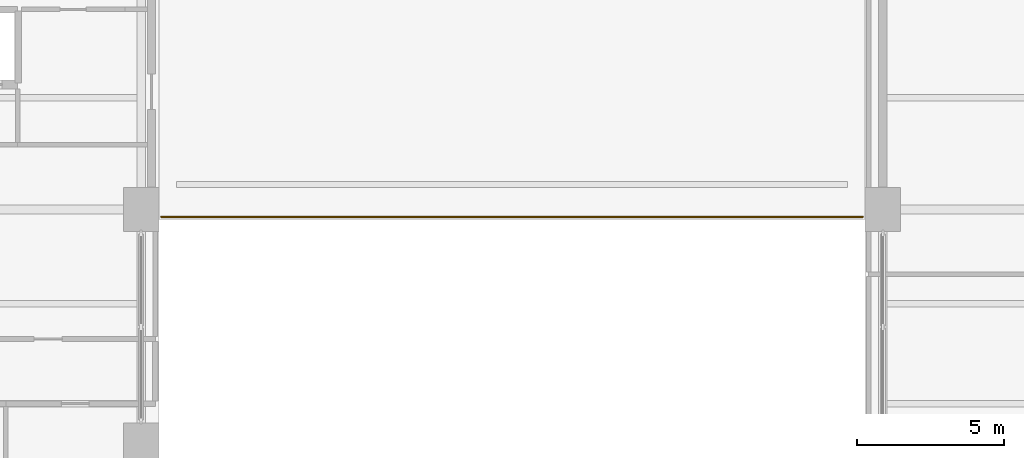
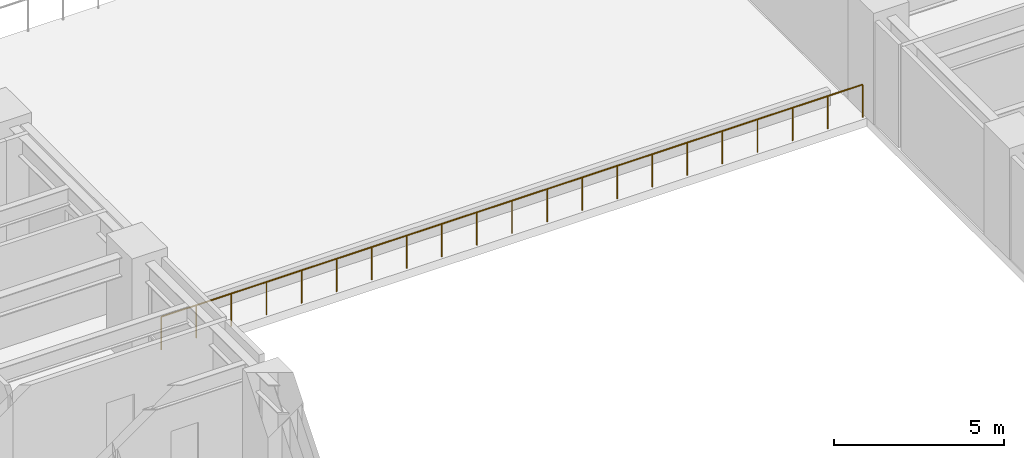
# One storey, part 9 of 12: 1 railing.
"""IFC4 building model written with IfcOpenShell, lengths in metres."""

from ifc_helpers import new_model, si_unit, direction, frame, origin, origin_2d, place, context, subcontext, project, spatial, circle, extrude, material, type_object, element, save


model = new_model("IFC4")

# Units and contexts
model_context = context("Model", 3, precision=1e-05, world=origin(), true_north=direction((0.0, 1.0)))
body_context = subcontext(model_context, "Body", "Model", "MODEL_VIEW")
ifc_project = project(units=[si_unit("LENGTHUNIT", "METRE"), si_unit("AREAUNIT", "SQUARE_METRE"), si_unit("VOLUMEUNIT", "CUBIC_METRE"), si_unit("PLANEANGLEUNIT", "RADIAN"), si_unit("MASSUNIT", "GRAM", prefix="KILO")], contexts=[model_context])

# Site, building, storey
site_placement = place(None, origin())
site = spatial("IfcSite", under=ifc_project, at=site_placement, CompositionType="ELEMENT")
building_placement = place(site_placement, origin())
building = spatial("IfcBuilding", under=site, at=building_placement, Name="Sulina Concourse Tower", CompositionType="ELEMENT")
storey_placement = place(building_placement, frame((0.0, 0.0, 38.60009765625)))
storey = spatial("IfcBuildingStorey", under=building, at=storey_placement, Name="L09", CompositionType="ELEMENT", Elevation=38.60009765625)

# Railing
ifc_material = material(Name="Laminated glass balustrade and steel post", Category="steel")
railing_type = type_object("IfcRailingType", Name="Terrace & Sky-Pool Laminated Guardrail 1200mm", PredefinedType="GUARDRAIL", material=ifc_material)
railing_placement = place(storey_placement, frame((17.080078125, 17.75, 0.0)))
element("IfcRailing", 1, at=railing_placement, inside=storey, type_object=railing_type, Name="L09 terrace guardrail TER-LP3-1", PredefinedType="GUARDRAIL", context=body_context, shape_type="SweptSolid", body=[
    extrude(circle(Radius=0.02490234375, at=origin_2d()), frame((0.0, 0.0, 1.1748046875), z_axis=(1.0, 0.0, 0.0), x_axis=(0.0, 1.0, 0.0)), (0.0, 0.0, 1.0), 23.83984375),
    extrude(circle(Radius=0.02099609375, at=origin_2d()), origin(), (0.0, 0.0, 1.0), 1.14990234375),
    extrude(circle(Radius=0.02099609375, at=origin_2d()), frame((1.19189453125, 0.0, 0.0)), (0.0, 0.0, 1.0), 1.14990234375),
    extrude(circle(Radius=0.02099609375, at=origin_2d()), frame((2.384033203125, 0.0, 0.0)), (0.0, 0.0, 1.0), 1.14990234375),
    extrude(circle(Radius=0.02099609375, at=origin_2d()), frame((3.575927734375, 0.0, 0.0)), (0.0, 0.0, 1.0), 1.14990234375),
    extrude(circle(Radius=0.02099609375, at=origin_2d()), frame((4.76806640625, 0.0, 0.0)), (0.0, 0.0, 1.0), 1.14990234375),
    extrude(circle(Radius=0.02099609375, at=origin_2d()), frame((5.9599609375, 0.0, 0.0)), (0.0, 0.0, 1.0), 1.14990234375),
    extrude(circle(Radius=0.02099609375, at=origin_2d()), frame((7.15185546875, 0.0, 0.0)), (0.0, 0.0, 1.0), 1.14990234375),
    extrude(circle(Radius=0.02099609375, at=origin_2d()), frame((8.343994140625, 0.0, 0.0)), (0.0, 0.0, 1.0), 1.14990234375),
    extrude(circle(Radius=0.02099609375, at=origin_2d()), frame((9.535888671875, 0.0, 0.0)), (0.0, 0.0, 1.0), 1.14990234375),
    extrude(circle(Radius=0.02099609375, at=origin_2d()), frame((10.72802734375, 0.0, 0.0)), (0.0, 0.0, 1.0), 1.14990234375),
    extrude(circle(Radius=0.02099609375, at=origin_2d()), frame((11.919921875, 0.0, 0.0)), (0.0, 0.0, 1.0), 1.14990234375),
    extrude(circle(Radius=0.02099609375, at=origin_2d()), frame((13.11181640625, 0.0, 0.0)), (0.0, 0.0, 1.0), 1.14990234375),
    extrude(circle(Radius=0.02099609375, at=origin_2d()), frame((14.303955078125, 0.0, 0.0)), (0.0, 0.0, 1.0), 1.14990234375),
    extrude(circle(Radius=0.02099609375, at=origin_2d()), frame((15.495849609375, 0.0, 0.0)), (0.0, 0.0, 1.0), 1.14990234375),
    extrude(circle(Radius=0.02099609375, at=origin_2d()), frame((16.68798828125, 0.0, 0.0)), (0.0, 0.0, 1.0), 1.14990234375),
    extrude(circle(Radius=0.02099609375, at=origin_2d()), frame((17.8798828125, 0.0, 0.0)), (0.0, 0.0, 1.0), 1.14990234375),
    extrude(circle(Radius=0.02099609375, at=origin_2d()), frame((19.07177734375, 0.0, 0.0)), (0.0, 0.0, 1.0), 1.14990234375),
    extrude(circle(Radius=0.02099609375, at=origin_2d()), frame((20.263916015625, 0.0, 0.0)), (0.0, 0.0, 1.0), 1.14990234375),
    extrude(circle(Radius=0.02099609375, at=origin_2d()), frame((21.455810546875, 0.0, 0.0)), (0.0, 0.0, 1.0), 1.14990234375),
    extrude(circle(Radius=0.02099609375, at=origin_2d()), frame((22.64794921875, 0.0, 0.0)), (0.0, 0.0, 1.0), 1.14990234375),
    extrude(circle(Radius=0.02099609375, at=origin_2d()), frame((23.83984375, 0.0, 0.0)), (0.0, 0.0, 1.0), 1.14990234375),
])

save(model, "model.ifc")
